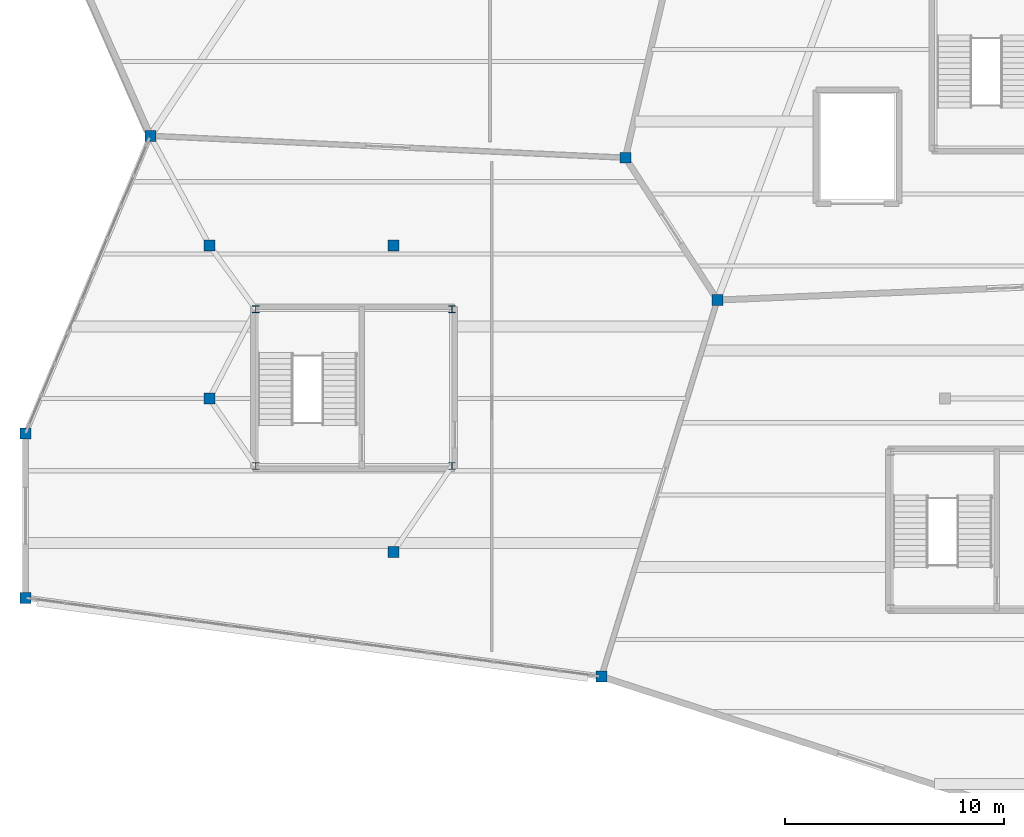
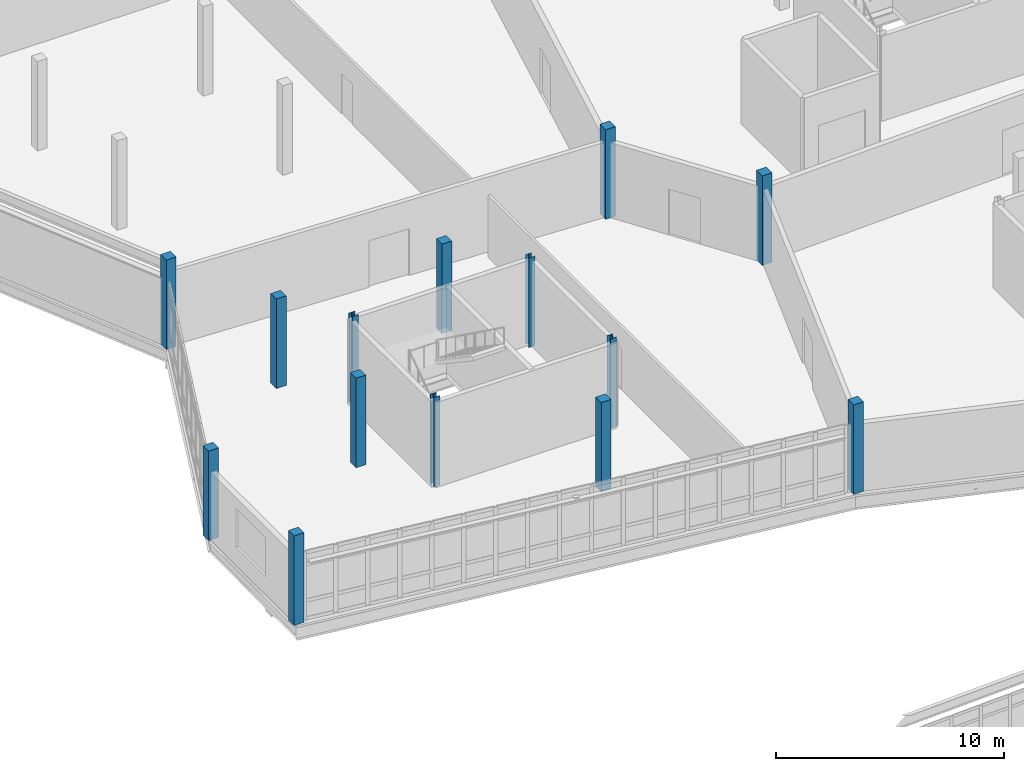
# One storey, part 13 of 134: 14 columns.
"""IFC4 building model written with IfcOpenShell, lengths in metres."""

import ifcopenshell
import ifcopenshell.guid

model = None  # the IFC model being written
_history = None  # IfcOwnerHistory: only IFC2X3 demands one
_inside = {}  # id of a spatial element -> (the spatial element, [elements in it])
_under = {}  # id of a project, library or spatial element -> (it, [spatial elements below it])
_declared = {}  # id of a project -> (the project, [libraries it declares])
_typed = {}  # id of a type object -> (the type object, [elements of that type])
_made_of = {}  # id of a material, layer set ... -> (it, [elements and type objects made of it])


def new_model(schema):
    """Start an empty IFC model of exactly this schema.

    Asked for "IFC4X3", IfcOpenShell would pick the latest addendum, in which some entities
    have other attributes; the version numbers below select the first issue.
    IFC2X3 requires an IfcOwnerHistory on every rooted entity: one is made here for all.
    """
    global model, _history
    if schema == "IFC4X3":
        model = ifcopenshell.file(schema_version=(4, 3, 0, 0))
    else:
        model = ifcopenshell.file(schema=schema)
    _inside.clear()
    _under.clear()
    _declared.clear()
    _typed.clear()
    _made_of.clear()
    _history = None
    if model.schema == "IFC2X3":
        org = make("IfcOrganization", Name="unknown")
        user = make(
            "IfcPersonAndOrganization",
            ThePerson=make("IfcPerson", FamilyName="unknown"),
            TheOrganization=org,
        )
        app = make(
            "IfcApplication",
            ApplicationDeveloper=org,
            Version="unknown",
            ApplicationFullName="unknown",
            ApplicationIdentifier="unknown",
        )
        _history = make(
            "IfcOwnerHistory",
            OwningUser=user,
            OwningApplication=app,
            ChangeAction="ADDED",
            CreationDate=0,
        )
    return model


def make(cls, **values):
    """One entity of the class cls with the attributes given. An attribute that is None is left unset."""
    return model.create_entity(
        cls, **{name: value for name, value in values.items() if value is not None}
    )


def rooted(cls, **values):
    """An entity with a GlobalId (a new one), such as an element, a storey or a relation."""
    return make(cls, GlobalId=ifcopenshell.guid.new(), OwnerHistory=_history, **values)


def si_unit(unit_type, name, prefix=None):
    """IfcSIUnit, for example si_unit("LENGTHUNIT", "METRE", prefix="MILLI")."""
    return make("IfcSIUnit", UnitType=unit_type, Prefix=prefix, Name=name)


def assignment(units):
    """IfcUnitAssignment: the units of a project."""
    return None if units is None else make("IfcUnitAssignment", Units=units)


def point(xyz):
    """IfcCartesianPoint."""
    return None if xyz is None else make("IfcCartesianPoint", Coordinates=xyz)


def direction(xyz):
    """IfcDirection."""
    return None if xyz is None else make("IfcDirection", DirectionRatios=xyz)


def frame(location, z_axis=None, x_axis=None):
    """IfcAxis2Placement3D, a coordinate frame: its origin and axes. An axis left out is left unset."""
    return make(
        "IfcAxis2Placement3D",
        Location=point(location),
        Axis=direction(z_axis),
        RefDirection=direction(x_axis),
    )


def frame_2d(location, x_axis=None):
    """IfcAxis2Placement2D, a coordinate frame in the plane: its origin and x axis."""
    return make(
        "IfcAxis2Placement2D", Location=point(location), RefDirection=direction(x_axis)
    )


def origin():
    """The frame at (0, 0, 0) with its axes left unset."""
    return frame((0.0, 0.0, 0.0))


def origin_2d():
    """The frame at (0, 0) in the plane with its x axis left unset."""
    return frame_2d((0.0, 0.0))


def place(relative_to, where):
    """IfcLocalPlacement: puts the frame where relative to a parent placement (None: the world)."""
    return make(
        "IfcLocalPlacement", PlacementRelTo=relative_to, RelativePlacement=where
    )


def context(
    kind, dimensions, precision=None, world=None, true_north=None, identifier=None
):
    """IfcGeometricRepresentationContext, for example the 3D "Model" context."""
    return make(
        "IfcGeometricRepresentationContext",
        ContextIdentifier=identifier,
        ContextType=kind,
        CoordinateSpaceDimension=dimensions,
        Precision=precision,
        WorldCoordinateSystem=world,
        TrueNorth=true_north,
    )


def subcontext(parent, identifier, kind, view, scale=None):
    """IfcGeometricRepresentationSubContext, for example "Body" below "Model"."""
    return make(
        "IfcGeometricRepresentationSubContext",
        ContextIdentifier=identifier,
        ContextType=kind,
        ParentContext=parent,
        TargetScale=scale,
        TargetView=view,
    )


def project(units=None, contexts=None):
    """IfcProject with its units and contexts."""
    return rooted(
        "IfcProject",
        Name="project",
        RepresentationContexts=contexts,
        UnitsInContext=assignment(units),
    )


def spatial(cls, under=None, at=None, **own):
    """A site, building, storey or space (cls), placed at a placement, below another one or the project."""
    s = rooted(cls, ObjectPlacement=at, **own)
    if under is not None:
        _under.setdefault(under.id(), (under, []))[1].append(s)
    return s


def profile(cls, at=None, kind="AREA", **sizes):
    """A parametric profile (cls). Its sizes go by their IFC names, for example OverallWidth=200.0."""
    return make(cls, ProfileType=kind, Position=at, **sizes)


def rectangle(**sizes):
    """IfcRectangleProfileDef."""
    return profile("IfcRectangleProfileDef", **sizes)


def i_section(**sizes):
    """IfcIShapeProfileDef."""
    return profile("IfcIShapeProfileDef", **sizes)


def extrude(swept, where, along, depth):
    """IfcExtrudedAreaSolid: the profile swept, set in the frame where, extruded along a direction by depth."""
    return make(
        "IfcExtrudedAreaSolid",
        SweptArea=swept,
        Position=where,
        ExtrudedDirection=direction(along),
        Depth=depth,
    )


def shape(context_of_items, identifier, shape_type, items):
    """IfcShapeRepresentation: the items that make up one representation, for example the "Body"."""
    return make(
        "IfcShapeRepresentation",
        ContextOfItems=context_of_items,
        RepresentationIdentifier=identifier,
        RepresentationType=shape_type,
        Items=items,
    )


def material(Name=None, Category=None):
    """IfcMaterial."""
    return make("IfcMaterial", Name=Name, Category=Category)


def material_profile(
    of_material, cross_section, Name=None, Category=None, Priority=None
):
    """IfcMaterialProfile: a cross section and its material."""
    return make(
        "IfcMaterialProfile",
        Name=Name,
        Material=of_material,
        Profile=cross_section,
        Priority=Priority,
        Category=Category,
    )


def profile_set(profiles, Name=None, composite=None):
    """IfcMaterialProfileSet."""
    return make(
        "IfcMaterialProfileSet",
        Name=Name,
        MaterialProfiles=profiles,
        CompositeProfile=composite,
    )


def made_of(thing, what):
    """Note that an element or type object is made of a material, layer set ...; save() writes the relation."""
    if what is not None:
        _made_of.setdefault(what.id(), (what, []))[1].append(thing)
    return thing


def type_object(cls, material=None, **own):
    """A type object (cls), such as IfcWallType, which elements share."""
    return made_of(rooted(cls, **own), material)


def element(
    cls,
    number,
    at=None,
    inside=None,
    cuts=None,
    type_object=None,
    material=None,
    context=None,
    identifier="Body",
    shape_type=None,
    held_by="IfcProductDefinitionShape",
    body=None,
    shapes=None,
    **own,
):
    """One element of the class cls, such as IfcWall. Its Tag is "e" and its number.

    at: its placement. inside: the storey or other place that contains it. cuts: it is an
    opening in that element (IfcRelVoidsElement). A single representation is given by context,
    identifier, shape_type and body (its items); several are given by shapes. held_by: the class
    of the entity that holds the representations. save() writes the other relations.
    """
    e = rooted(cls, Tag="e%d" % number, ObjectPlacement=at, **own)
    if body is not None:
        shapes = [shape(context, identifier, shape_type, body)]
    if shapes is not None:
        e.Representation = make(held_by, Representations=shapes)
    if inside is not None:
        _inside.setdefault(inside.id(), (inside, []))[1].append(e)
    if cuts is not None:
        rooted(
            "IfcRelVoidsElement", RelatingBuildingElement=cuts, RelatedOpeningElement=e
        )
    if type_object is not None:
        _typed.setdefault(type_object.id(), (type_object, []))[1].append(e)
    return made_of(e, material)


def aggregate(whole, parts):
    """IfcRelAggregates: a whole, such as a stair, and the parts it consists of."""
    return rooted("IfcRelAggregates", RelatingObject=whole, RelatedObjects=parts)


def save(model, path):
    """Write the relations noted so far, then the file.

    IfcRelAggregates (storeys below a building ...), IfcRelContainedInSpatialStructure (elements
    in a storey), IfcRelDefinesByType, IfcRelAssociatesMaterial and IfcRelDeclares: one each for
    every whole, place, type object, material and project.
    """
    for whole, parts in _under.values():
        aggregate(whole, parts)
    for where, things in _inside.values():
        rooted(
            "IfcRelContainedInSpatialStructure",
            RelatedElements=things,
            RelatingStructure=where,
        )
    for kind, things in _typed.values():
        rooted("IfcRelDefinesByType", RelatedObjects=things, RelatingType=kind)
    for what, things in _made_of.values():
        rooted("IfcRelAssociatesMaterial", RelatedObjects=things, RelatingMaterial=what)
    for by, libraries in _declared.values():
        rooted("IfcRelDeclares", RelatingContext=by, RelatedDefinitions=libraries)
    model.write(path)


model = new_model("IFC4")

# Units and contexts
model_context = context("Model", 3, precision=1e-05, world=origin(), true_north=direction((0.0, 1.0)))
body_context = subcontext(model_context, "Body", "Model", "MODEL_VIEW")
ifc_project = project(units=[si_unit("LENGTHUNIT", "METRE"), si_unit("AREAUNIT", "SQUARE_METRE"), si_unit("VOLUMEUNIT", "CUBIC_METRE"), si_unit("PLANEANGLEUNIT", "RADIAN"), si_unit("MASSUNIT", "GRAM", prefix="KILO")], contexts=[model_context])

# Site, building, storey
site_placement = place(None, origin())
site = spatial("IfcSite", under=ifc_project, at=site_placement, CompositionType="ELEMENT")
building_placement = place(site_placement, origin())
building = spatial("IfcBuilding", under=site, at=building_placement, Name="Tameran Prism Museum", CompositionType="ELEMENT")
storey_placement = place(building_placement, frame((0.0, 0.0, 5.39990234375)))
storey = spatial("IfcBuildingStorey", under=building, at=storey_placement, Name="L01", CompositionType="ELEMENT", Elevation=5.39990234375)

# Columns
ifc_material_1 = material(Name="Concrete N40 (40 MPa)", Category="concrete")
ifc_material_profile_1 = material_profile(ifc_material_1, rectangle(XDim=0.5, YDim=0.5, at=origin_2d()))
ifc_profile_set_1 = profile_set([ifc_material_profile_1])
column_type_1 = type_object("IfcColumnType", Name="COL-RC500", PredefinedType="COLUMN", material=ifc_profile_set_1)
for number, where, z_axis, x_axis, name in (
    (1, (0.0, 67.89990234375, 0.0), (0.0, 0.0, 1.0), (1.0, 0.0, 0.0), "Column CV-05 L01"),
    (2, (0.0, 75.39990234375, 0.0), (0.0, 0.0, 1.0), (1.0, 0.0, 0.0), "Column CV-06 L01"),
    (3, (5.699951171875, 89.0, 0.0), (0.0, 0.0, 1.0), (1.0, 0.0, 0.0), "Column CV-10 L01"),
    (4, (26.300048828125, 64.300048828125, 0.0), (0.0, 0.0, 1.0), (1.0, 0.0, 0.0), "Column CV-16 L01"),
    (5, (27.39990234375, 88.0, 0.0), (0.0, 0.0, 1.0), (1.0, 0.0, 0.0), "Column CV-17 L01"),
    (6, (31.60009765625, 81.5, 0.0), (0.0, 0.0, 1.0), (1.0, 0.0, 0.0), "Column CV-20 L01"),
    (7, (8.39990234375, 77.0, 0.0), (0.0, 0.0, 1.0), (1.0, 0.0, 0.0), "Column CI-05 L01"),
    (8, (8.39990234375, 84.0, 0.0), (0.0, 0.0, 1.0), (1.0, 0.0, 0.0), "Column CI-06 L01"),
    (9, (16.800048828125, 70.0, 0.0), (0.0, 0.0, 1.0), (1.0, 0.0, 0.0), "Column CI-07 L01"),
    (10, (16.800048828125, 84.0, 0.0), (0.0, 0.0, 1.0), (1.0, 0.0, 0.0), "Column CI-08 L01"),
):
    element("IfcColumn", number, at=place(storey_placement, frame(where, z_axis=z_axis, x_axis=x_axis)), inside=storey, type_object=column_type_1, Name=name, PredefinedType="COLUMN", context=body_context, shape_type="SweptSolid", body=[
        extrude(rectangle(XDim=0.5, YDim=0.5, at=origin_2d()), origin(), (0.0, 0.0, 1.0), 4.800048828125),
    ])
ifc_material_2 = material(Name="Steel Grade 300PLUS (300 MPa)", Category="steel")
ifc_material_profile_2 = material_profile(ifc_material_2, i_section(OverallWidth=0.306884765625, OverallDepth=0.31494140625, WebThickness=0.011962890625, FlangeThickness=0.018798828125, FilletRadius=0.0166015625, at=origin_2d()))
ifc_profile_set_2 = profile_set([ifc_material_profile_2])
column_type_2 = type_object("IfcColumnType", Name="COL-UC310C", PredefinedType="COLUMN", material=ifc_profile_set_2)
for number, where, z_axis, x_axis, name in (
    (11, (10.52001953125, 73.919921875, 0.0), (0.0, 0.0, 1.0), (1.0, 0.0, 0.0), "Column CC-9-1 L01"),
    (12, (19.47998046875, 73.919921875, 0.0), (0.0, 0.0, 1.0), (1.0, 0.0, 0.0), "Column CC-9-2 L01"),
    (13, (19.47998046875, 81.080078125, 0.0), (0.0, 0.0, 1.0), (1.0, 0.0, 0.0), "Column CC-9-3 L01"),
    (14, (10.52001953125, 81.080078125, 0.0), (0.0, 0.0, 1.0), (1.0, 0.0, 0.0), "Column CC-9-4 L01"),
):
    element("IfcColumn", number, at=place(storey_placement, frame(where, z_axis=z_axis, x_axis=x_axis)), inside=storey, type_object=column_type_2, Name=name, PredefinedType="COLUMN", context=body_context, shape_type="SweptSolid", body=[
        extrude(i_section(OverallWidth=0.306884765625, OverallDepth=0.31494140625, WebThickness=0.011962890625, FlangeThickness=0.018798828125, FilletRadius=0.0166015625, at=origin_2d()), origin(), (0.0, 0.0, 1.0), 4.800048828125),
    ])

save(model, "model.ifc")
